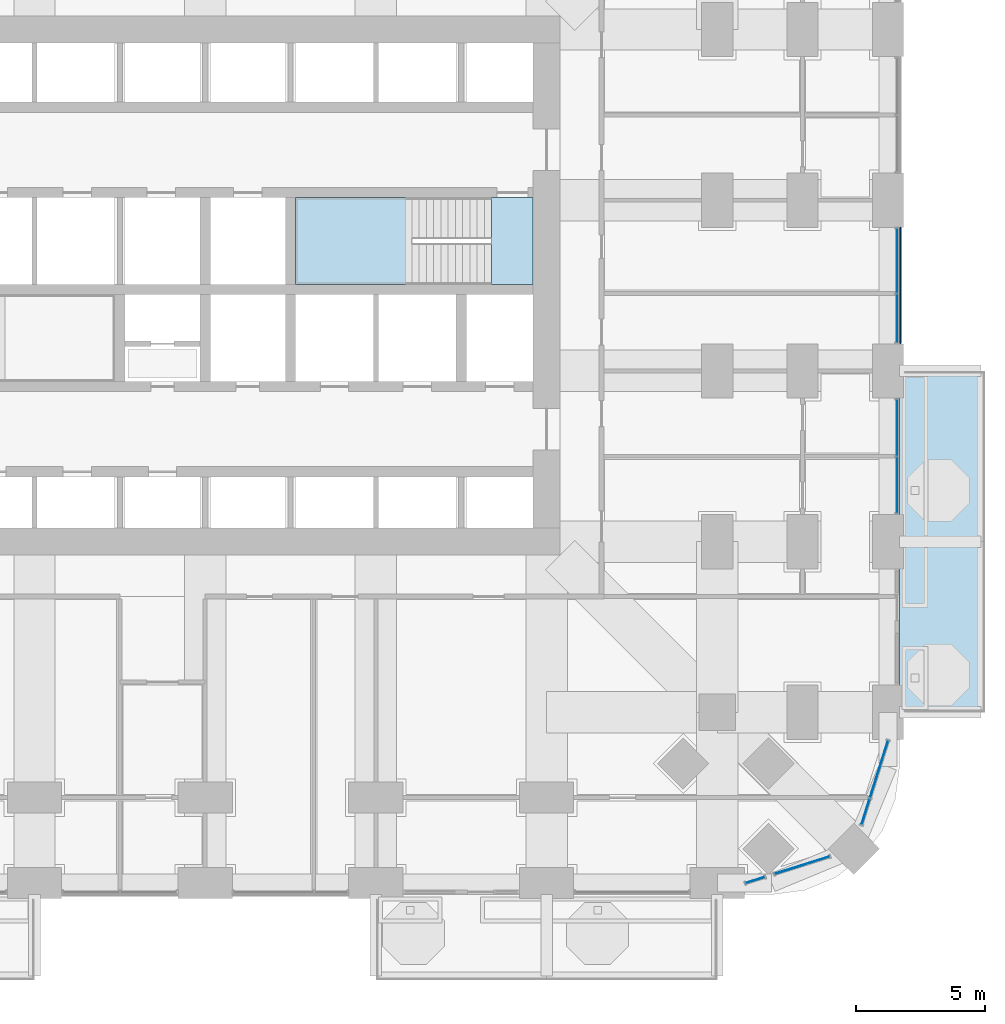
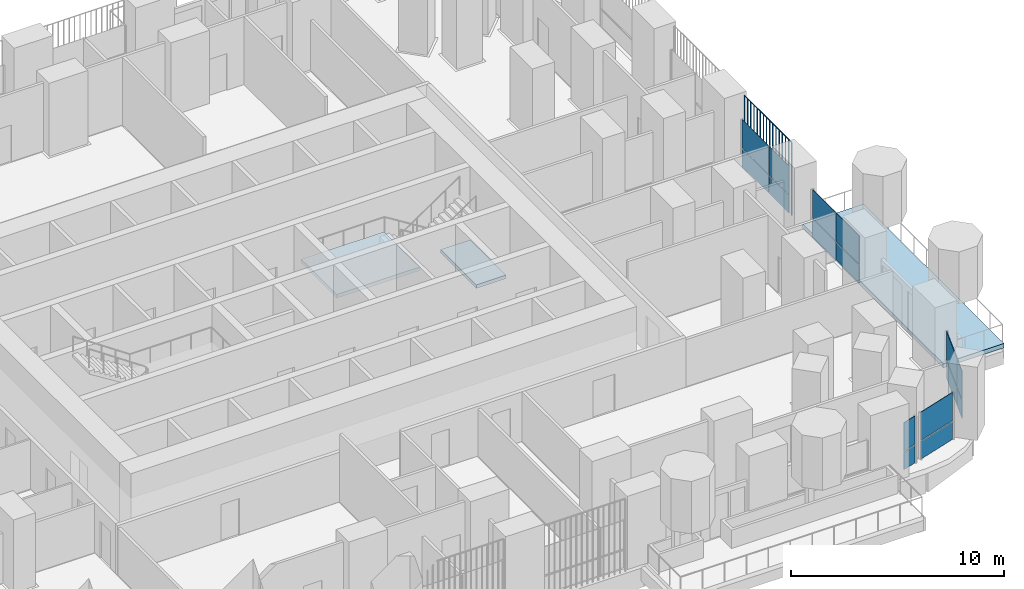
# One storey, part 14 of 27: 17 plates, 3 slabs, 6 elements without a shape of their own.
"""IFC4 building model written with IfcOpenShell, lengths in metres."""

from ifc_helpers import new_model, si_unit, direction, frame, origin, origin_2d, place, context, subcontext, project, spatial, polyline, rectangle, outline, extrude, material, layer, layer_set, type_object, element, aggregate, save


model = new_model("IFC4")

# Units and contexts
model_context = context("Model", 3, precision=1e-05, world=origin(), true_north=direction((0.0, 1.0)))
body_context = subcontext(model_context, "Body", "Model", "MODEL_VIEW")
ifc_project = project(units=[si_unit("LENGTHUNIT", "METRE"), si_unit("AREAUNIT", "SQUARE_METRE"), si_unit("VOLUMEUNIT", "CUBIC_METRE"), si_unit("PLANEANGLEUNIT", "RADIAN"), si_unit("MASSUNIT", "GRAM", prefix="KILO")], contexts=[model_context])

# Site, building, storey
site_placement = place(None, origin())
site = spatial("IfcSite", under=ifc_project, at=site_placement, CompositionType="ELEMENT")
building_placement = place(site_placement, origin())
building = spatial("IfcBuilding", under=site, at=building_placement, Name="Cobogo Forest Laboratory Tower", CompositionType="ELEMENT")
storey_placement = place(building_placement, frame((0.0, 0.0, 54.89990234375)))
storey = spatial("IfcBuildingStorey", under=building, at=storey_placement, Name="L12", CompositionType="ELEMENT", Elevation=54.89990234375)

# Slab
ifc_material_1 = material(Name="Concrete HA-40 (C40/50)", Category="concrete")
ifc_layer_1 = layer(ifc_material_1, 0.25)
ifc_layer_set_1 = layer_set([ifc_layer_1], Name="Balcony slab 250")
slab_type_1 = type_object("IfcSlabType", Name="Balcony slab 250", PredefinedType="FLOOR", material=ifc_layer_set_1)
slab_1_placement = place(storey_placement, frame((0.0, 0.0, -0.25)))
element("IfcSlab", 1, at=slab_1_placement, inside=storey, type_object=slab_type_1, Name="Balcony BAL-E1 L12", PredefinedType="FLOOR", context=body_context, shape_type="SweptSolid", body=[
    extrude(outline(polyline([(53.25, 6.60009765625), (56.550048828125, 6.60009765625), (56.550048828125, 19.800048828125), (53.25, 19.800048828125), (53.25, 6.60009765625)])), origin(), (0.0, 0.0, 1.0), 0.25),
])

# Curtain wall, plates
ifc_material_2 = material(Name="Aluminium curtain wall", Category="aluminium")
curtain_wall_type = type_object("IfcCurtainWallType", Name="CW-1 unitised curtain wall, clear glazing, laboratory floors zones A and B", PredefinedType="USERDEFINED", material=ifc_material_2)
curtain_wall_1_placement = place(storey_placement, origin())
curtain_wall_1 = element("IfcCurtainWall", 2, at=curtain_wall_1_placement, inside=storey, type_object=curtain_wall_type, Name="Curtain wall 07 L12", ObjectType="UNITISED CURTAIN WALL", PredefinedType="USERDEFINED")
ifc_material_3 = material(Name="Clear insulated glass", Category="glass")
ifc_layer_2 = layer(ifc_material_3, 0.028076171875)
ifc_layer_set_2 = layer_set([ifc_layer_2], Name="GP-1 clear insulated glass unit 28")
plate_type_1 = type_object("IfcPlateType", Name="GP-1 clear insulated glass unit 28", PredefinedType="CURTAIN_PANEL", material=ifc_layer_set_2)
plate_1_placement = place(storey_placement, frame((47.666015625, 0.113037109375, 0.0), z_axis=(0.0, 0.0, 1.0), x_axis=(0.953581504428, 0.301135043481, 0.0)))
plate_1 = element("IfcPlate", 3, at=plate_1_placement, type_object=plate_type_1, Name="CW-1 panel 1.1", PredefinedType="CURTAIN_PANEL", context=body_context, shape_type="SweptSolid", body=[
    extrude(rectangle(XDim=0.75244140625, YDim=0.028076171875, at=origin_2d()), origin(), (0.0, 0.0, 1.0), 1.02001953125),
])
plate_2_placement = place(storey_placement, frame((47.666015625, 0.113037109375, 1.080078125), z_axis=(0.0, 0.0, 1.0), x_axis=(0.953581504428, 0.301135043481, 0.0)))
plate_2 = element("IfcPlate", 4, at=plate_2_placement, type_object=plate_type_1, Name="CW-1 panel 1.2", PredefinedType="CURTAIN_PANEL", context=body_context, shape_type="SweptSolid", body=[
    extrude(rectangle(XDim=0.75244140625, YDim=0.028076171875, at=origin_2d()), origin(), (0.0, 0.0, 1.0), 1.6201171875),
])
aggregate(curtain_wall_1, [plate_1, plate_2])

curtain_wall_2_placement = place(storey_placement, origin())
curtain_wall_2 = element("IfcCurtainWall", 5, at=curtain_wall_2_placement, inside=storey, type_object=curtain_wall_type, Name="Curtain wall 08 L12", ObjectType="UNITISED CURTAIN WALL", PredefinedType="USERDEFINED")
plate_3_placement = place(storey_placement, frame((49.482177734375, 0.6865234375, 0.0), z_axis=(0.0, 0.0, 1.0), x_axis=(0.953581409645, 0.301135343623, 0.0)))
plate_3 = element("IfcPlate", 6, at=plate_3_placement, type_object=plate_type_1, Name="CW-1 panel 1.1", PredefinedType="CURTAIN_PANEL", context=body_context, shape_type="SweptSolid", body=[
    extrude(rectangle(XDim=2.203369140625, YDim=0.028076171875, at=origin_2d()), origin(), (0.0, 0.0, 1.0), 1.02001953125),
])
plate_4_placement = place(storey_placement, frame((49.482177734375, 0.6865234375, 1.080078125), z_axis=(0.0, 0.0, 1.0), x_axis=(0.953581409645, 0.301135343623, 0.0)))
plate_4 = element("IfcPlate", 7, at=plate_4_placement, type_object=plate_type_1, Name="CW-1 panel 1.2", PredefinedType="CURTAIN_PANEL", context=body_context, shape_type="SweptSolid", body=[
    extrude(rectangle(XDim=2.203369140625, YDim=0.028076171875, at=origin_2d()), origin(), (0.0, 0.0, 1.0), 1.6201171875),
])
aggregate(curtain_wall_2, [plate_3, plate_4])

curtain_wall_3_placement = place(storey_placement, origin())
curtain_wall_3 = element("IfcCurtainWall", 8, at=curtain_wall_3_placement, inside=storey, type_object=curtain_wall_type, Name="Curtain wall 09 L12", ObjectType="UNITISED CURTAIN WALL", PredefinedType="USERDEFINED")
plate_5_placement = place(storey_placement, frame((51.9365234375, 2.75732421875, 0.0), z_axis=(0.0, 0.0, 1.0), x_axis=(0.30113535792, 0.95358140513, 0.0)))
plate_5 = element("IfcPlate", 9, at=plate_5_placement, type_object=plate_type_1, Name="CW-1 panel 1.1", PredefinedType="CURTAIN_PANEL", context=body_context, shape_type="SweptSolid", body=[
    extrude(rectangle(XDim=1.027587890625, YDim=0.028076171875, at=origin_2d()), origin(), (0.0, 0.0, 1.0), 1.02001953125),
])
plate_6_placement = place(storey_placement, frame((51.9365234375, 2.75732421875, 1.080078125), z_axis=(0.0, 0.0, 1.0), x_axis=(0.30113535792, 0.95358140513, 0.0)))
plate_6 = element("IfcPlate", 10, at=plate_6_placement, type_object=plate_type_1, Name="CW-1 panel 1.2", PredefinedType="CURTAIN_PANEL", context=body_context, shape_type="SweptSolid", body=[
    extrude(rectangle(XDim=1.027587890625, YDim=0.028076171875, at=origin_2d()), origin(), (0.0, 0.0, 1.0), 1.6201171875),
])
plate_7_placement = place(storey_placement, frame((52.454833984375, 4.398681640625, 0.0), z_axis=(0.0, 0.0, 1.0), x_axis=(0.30113535792, 0.95358140513, 0.0)))
plate_7 = element("IfcPlate", 11, at=plate_7_placement, type_object=plate_type_1, Name="CW-1 panel 2.1", PredefinedType="CURTAIN_PANEL", context=body_context, shape_type="SweptSolid", body=[
    extrude(rectangle(XDim=2.294677734375, YDim=0.028076171875, at=origin_2d()), origin(), (0.0, 0.0, 1.0), 1.02001953125),
])
plate_8_placement = place(storey_placement, frame((52.454833984375, 4.398681640625, 1.080078125), z_axis=(0.0, 0.0, 1.0), x_axis=(0.30113535792, 0.95358140513, 0.0)))
plate_8 = element("IfcPlate", 12, at=plate_8_placement, type_object=plate_type_1, Name="CW-1 panel 2.2", PredefinedType="CURTAIN_PANEL", context=body_context, shape_type="SweptSolid", body=[
    extrude(rectangle(XDim=2.294677734375, YDim=0.028076171875, at=origin_2d()), origin(), (0.0, 0.0, 1.0), 1.6201171875),
])
aggregate(curtain_wall_3, [plate_5, plate_6, plate_7, plate_8])

curtain_wall_4_placement = place(storey_placement, origin())
curtain_wall_4 = element("IfcCurtainWall", 13, at=curtain_wall_4_placement, inside=storey, type_object=curtain_wall_type, Name="Curtain wall 11 L12", ObjectType="UNITISED CURTAIN WALL", PredefinedType="USERDEFINED")
plate_9_placement = place(storey_placement, frame((53.14990234375, 15.389892578125, 0.0), z_axis=(0.0, 0.0, 1.0), x_axis=(0.0, 1.0, 0.0)))
plate_9 = element("IfcPlate", 14, at=plate_9_placement, type_object=plate_type_1, Name="CW-1 panel 1.1", PredefinedType="CURTAIN_PANEL", context=body_context, shape_type="SweptSolid", body=[
    extrude(rectangle(XDim=2.159912109375, YDim=0.028076171875, at=origin_2d()), origin(), (0.0, 0.0, 1.0), 1.02001953125),
])
plate_10_placement = place(storey_placement, frame((53.14990234375, 15.389892578125, 1.080078125), z_axis=(0.0, 0.0, 1.0), x_axis=(0.0, 1.0, 0.0)))
plate_10 = element("IfcPlate", 15, at=plate_10_placement, type_object=plate_type_1, Name="CW-1 panel 1.2", PredefinedType="CURTAIN_PANEL", context=body_context, shape_type="SweptSolid", body=[
    extrude(rectangle(XDim=2.159912109375, YDim=0.028076171875, at=origin_2d()), origin(), (0.0, 0.0, 1.0), 1.6201171875),
])
plate_11_placement = place(storey_placement, frame((53.14990234375, 17.610107421875, 0.0), z_axis=(0.0, 0.0, 1.0), x_axis=(0.0, 1.0, 0.0)))
plate_11 = element("IfcPlate", 16, at=plate_11_placement, type_object=plate_type_1, Name="CW-1 panel 2.1", PredefinedType="CURTAIN_PANEL", context=body_context, shape_type="SweptSolid", body=[
    extrude(rectangle(XDim=2.159912109375, YDim=0.028076171875, at=origin_2d()), origin(), (0.0, 0.0, 1.0), 1.02001953125),
])
plate_12_placement = place(storey_placement, frame((53.14990234375, 17.610107421875, 1.080078125), z_axis=(0.0, 0.0, 1.0), x_axis=(0.0, 1.0, 0.0)))
plate_12 = element("IfcPlate", 17, at=plate_12_placement, type_object=plate_type_1, Name="CW-1 panel 2.2", PredefinedType="CURTAIN_PANEL", context=body_context, shape_type="SweptSolid", body=[
    extrude(rectangle(XDim=2.159912109375, YDim=0.028076171875, at=origin_2d()), origin(), (0.0, 0.0, 1.0), 1.6201171875),
])
aggregate(curtain_wall_4, [plate_9, plate_10, plate_11, plate_12])

curtain_wall_5_placement = place(storey_placement, origin())
curtain_wall_5 = element("IfcCurtainWall", 18, at=curtain_wall_5_placement, inside=storey, type_object=curtain_wall_type, Name="Curtain wall 12 L12", ObjectType="UNITISED CURTAIN WALL", PredefinedType="USERDEFINED")
plate_13_placement = place(storey_placement, frame((53.14990234375, 21.840087890625, 0.0), z_axis=(0.0, 0.0, 1.0), x_axis=(0.0, 1.0, 0.0)))
plate_13 = element("IfcPlate", 19, at=plate_13_placement, type_object=plate_type_1, Name="CW-1 panel 1.1", PredefinedType="CURTAIN_PANEL", context=body_context, shape_type="SweptSolid", body=[
    extrude(rectangle(XDim=1.860107421875, YDim=0.028076171875, at=origin_2d()), origin(), (0.0, 0.0, 1.0), 1.02001953125),
])
plate_14_placement = place(storey_placement, frame((53.14990234375, 21.840087890625, 1.080078125), z_axis=(0.0, 0.0, 1.0), x_axis=(0.0, 1.0, 0.0)))
plate_14 = element("IfcPlate", 20, at=plate_14_placement, type_object=plate_type_1, Name="CW-1 panel 1.2", PredefinedType="CURTAIN_PANEL", context=body_context, shape_type="SweptSolid", body=[
    extrude(rectangle(XDim=1.860107421875, YDim=0.028076171875, at=origin_2d()), origin(), (0.0, 0.0, 1.0), 1.6201171875),
])
plate_15_placement = place(storey_placement, frame((53.14990234375, 24.06005859375, 0.0), z_axis=(0.0, 0.0, 1.0), x_axis=(0.0, 1.0, 0.0)))
plate_15 = element("IfcPlate", 21, at=plate_15_placement, type_object=plate_type_1, Name="CW-1 panel 2.1", PredefinedType="CURTAIN_PANEL", context=body_context, shape_type="SweptSolid", body=[
    extrude(rectangle(XDim=2.4599609375, YDim=0.028076171875, at=origin_2d()), origin(), (0.0, 0.0, 1.0), 1.02001953125),
])
plate_16_placement = place(storey_placement, frame((53.14990234375, 24.06005859375, 1.080078125), z_axis=(0.0, 0.0, 1.0), x_axis=(0.0, 1.0, 0.0)))
plate_16 = element("IfcPlate", 22, at=plate_16_placement, type_object=plate_type_1, Name="CW-1 panel 2.2", PredefinedType="CURTAIN_PANEL", context=body_context, shape_type="SweptSolid", body=[
    extrude(rectangle(XDim=2.4599609375, YDim=0.028076171875, at=origin_2d()), origin(), (0.0, 0.0, 1.0), 1.6201171875),
])
aggregate(curtain_wall_5, [plate_13, plate_14, plate_15, plate_16])

# Stair, slabs
ifc_material_4 = material(Name="Precast concrete HA-40 (C40/50)", Category="concrete")
stair_type = type_object("IfcStairType", Name="ST24 exit stair 24 risers", PredefinedType="HALF_TURN_STAIR", material=ifc_material_4)
stair_placement = place(storey_placement, origin())
stair = element("IfcStair", 23, at=stair_placement, inside=storey, type_object=stair_type, Name="Stair 2 L12 to L13", PredefinedType="HALF_TURN_STAIR")
ifc_layer_3 = layer(ifc_material_1, 0.199951171875)
ifc_layer_set_3 = layer_set([ifc_layer_3], Name="SL stair landing 200")
slab_type_2 = type_object("IfcSlabType", Name="SL stair landing 200", PredefinedType="LANDING", material=ifc_layer_set_3)
slab_2_placement = place(storey_placement, frame((0.0, 0.0, -0.199951171875)))
slab_2 = element("IfcSlab", 24, at=slab_2_placement, type_object=slab_type_2, Name="ST2 landing 1", PredefinedType="LANDING", context=body_context, shape_type="SweptSolid", body=[
    extrude(outline(polyline([(37.472900390625, 23.14990234375), (39.074951171875, 23.14990234375), (39.074951171875, 26.5), (37.472900390625, 26.5), (37.472900390625, 23.14990234375)])), origin(), (0.0, 0.0, 1.0), 0.199951171875),
])
slab_3_placement = place(storey_placement, frame((0.0, 0.0, 1.900146484375)))
slab_3 = element("IfcSlab", 25, at=slab_3_placement, type_object=slab_type_2, Name="ST2 landing 2", PredefinedType="LANDING", context=body_context, shape_type="SweptSolid", body=[
    extrude(outline(polyline([(29.89990234375, 23.14990234375), (34.39697265625, 23.14990234375), (34.39697265625, 26.5), (29.89990234375, 26.5), (29.89990234375, 23.14990234375)])), origin(), (0.0, 0.0, 1.0), 0.199951171875),
])
aggregate(stair, [slab_2, slab_3])

# Plate
ifc_material_5 = material(Name="Terracotta", Category="masonry")
plate_type_2 = type_object("IfcPlateType", Name="TB1 terracotta baguette screen", PredefinedType="USERDEFINED", material=ifc_material_5)
plate_17_placement = place(storey_placement, frame((53.27783203125, 20.88134765625, -0.14990234375)))
element("IfcPlate", 26, at=plate_17_placement, inside=storey, type_object=plate_type_2, Name="Baguette screen E3 L12", ObjectType="BAGUETTE SCREEN", PredefinedType="USERDEFINED", context=body_context, shape_type="SweptSolid", body=[
    extrude(outline(polyline([(0.02880859375, 0.011962890625), (0.011962890625, 0.02880859375), (-0.011962890625, 0.02880859375), (-0.02880859375, 0.011962890625), (-0.02880859375, -0.011962890625), (-0.011962890625, -0.02880859375), (0.011962890625, -0.02880859375), (0.02880859375, -0.011962890625), (0.02880859375, 0.011962890625)])), frame((0.0, 0.0, 4.168701171875), z_axis=(0.0, 1.0, 0.0), x_axis=(-1.0, 0.0, 0.0)), (0.0, 0.0, 1.0), 4.4375),
    extrude(outline(polyline([(0.02880859375, 0.011962890625), (0.011962890625, 0.02880859375), (-0.011962890625, 0.02880859375), (-0.02880859375, 0.011962890625), (-0.02880859375, -0.011962890625), (-0.011962890625, -0.02880859375), (0.011962890625, -0.02880859375), (0.02880859375, -0.011962890625), (0.02880859375, 0.011962890625)])), origin(), (0.0, 0.0, 1.0), 4.137451171875),
    extrude(outline(polyline([(0.02880859375, 0.011962890625), (0.011962890625, 0.02880859375), (-0.011962890625, 0.02880859375), (-0.02880859375, 0.011962890625), (-0.02880859375, -0.011962890625), (-0.011962890625, -0.02880859375), (0.011962890625, -0.02880859375), (0.02880859375, -0.011962890625), (0.02880859375, 0.011962890625)])), frame((0.0, 0.2958984375, 0.0)), (0.0, 0.0, 1.0), 4.137451171875),
    extrude(outline(polyline([(0.02880859375, 0.011962890625), (0.011962890625, 0.02880859375), (-0.011962890625, 0.02880859375), (-0.02880859375, 0.011962890625), (-0.02880859375, -0.011962890625), (-0.011962890625, -0.02880859375), (0.011962890625, -0.02880859375), (0.02880859375, -0.011962890625), (0.02880859375, 0.011962890625)])), frame((0.0, 0.591552734375, 0.0)), (0.0, 0.0, 1.0), 4.137451171875),
    extrude(outline(polyline([(0.02880859375, 0.011962890625), (0.011962890625, 0.02880859375), (-0.011962890625, 0.02880859375), (-0.02880859375, 0.011962890625), (-0.02880859375, -0.011962890625), (-0.011962890625, -0.02880859375), (0.011962890625, -0.02880859375), (0.02880859375, -0.011962890625), (0.02880859375, 0.011962890625)])), frame((0.0, 0.887451171875, 0.0)), (0.0, 0.0, 1.0), 4.137451171875),
    extrude(outline(polyline([(0.02880859375, 0.011962890625), (0.011962890625, 0.02880859375), (-0.011962890625, 0.02880859375), (-0.02880859375, 0.011962890625), (-0.02880859375, -0.011962890625), (-0.011962890625, -0.02880859375), (0.011962890625, -0.02880859375), (0.02880859375, -0.011962890625), (0.02880859375, 0.011962890625)])), frame((0.0, 1.183349609375, 0.0)), (0.0, 0.0, 1.0), 4.137451171875),
    extrude(outline(polyline([(0.02880859375, 0.011962890625), (0.011962890625, 0.02880859375), (-0.011962890625, 0.02880859375), (-0.02880859375, 0.011962890625), (-0.02880859375, -0.011962890625), (-0.011962890625, -0.02880859375), (0.011962890625, -0.02880859375), (0.02880859375, -0.011962890625), (0.02880859375, 0.011962890625)])), frame((0.0, 1.479248046875, 0.0)), (0.0, 0.0, 1.0), 4.137451171875),
    extrude(outline(polyline([(0.02880859375, 0.011962890625), (0.011962890625, 0.02880859375), (-0.011962890625, 0.02880859375), (-0.02880859375, 0.011962890625), (-0.02880859375, -0.011962890625), (-0.011962890625, -0.02880859375), (0.011962890625, -0.02880859375), (0.02880859375, -0.011962890625), (0.02880859375, 0.011962890625)])), frame((0.0, 1.77490234375, 0.0)), (0.0, 0.0, 1.0), 4.137451171875),
    extrude(outline(polyline([(0.02880859375, 0.011962890625), (0.011962890625, 0.02880859375), (-0.011962890625, 0.02880859375), (-0.02880859375, 0.011962890625), (-0.02880859375, -0.011962890625), (-0.011962890625, -0.02880859375), (0.011962890625, -0.02880859375), (0.02880859375, -0.011962890625), (0.02880859375, 0.011962890625)])), frame((0.0, 2.07080078125, 0.0)), (0.0, 0.0, 1.0), 4.137451171875),
    extrude(outline(polyline([(0.02880859375, 0.011962890625), (0.011962890625, 0.02880859375), (-0.011962890625, 0.02880859375), (-0.02880859375, 0.011962890625), (-0.02880859375, -0.011962890625), (-0.011962890625, -0.02880859375), (0.011962890625, -0.02880859375), (0.02880859375, -0.011962890625), (0.02880859375, 0.011962890625)])), frame((0.0, 2.36669921875, 0.0)), (0.0, 0.0, 1.0), 4.137451171875),
    extrude(outline(polyline([(0.02880859375, 0.011962890625), (0.011962890625, 0.02880859375), (-0.011962890625, 0.02880859375), (-0.02880859375, 0.011962890625), (-0.02880859375, -0.011962890625), (-0.011962890625, -0.02880859375), (0.011962890625, -0.02880859375), (0.02880859375, -0.011962890625), (0.02880859375, 0.011962890625)])), frame((0.0, 2.66259765625, 0.0)), (0.0, 0.0, 1.0), 4.137451171875),
    extrude(outline(polyline([(0.02880859375, 0.011962890625), (0.011962890625, 0.02880859375), (-0.011962890625, 0.02880859375), (-0.02880859375, 0.011962890625), (-0.02880859375, -0.011962890625), (-0.011962890625, -0.02880859375), (0.011962890625, -0.02880859375), (0.02880859375, -0.011962890625), (0.02880859375, 0.011962890625)])), frame((0.0, 2.958251953125, 0.0)), (0.0, 0.0, 1.0), 4.137451171875),
    extrude(outline(polyline([(0.02880859375, 0.011962890625), (0.011962890625, 0.02880859375), (-0.011962890625, 0.02880859375), (-0.02880859375, 0.011962890625), (-0.02880859375, -0.011962890625), (-0.011962890625, -0.02880859375), (0.011962890625, -0.02880859375), (0.02880859375, -0.011962890625), (0.02880859375, 0.011962890625)])), frame((0.0, 3.254150390625, 0.0)), (0.0, 0.0, 1.0), 4.137451171875),
    extrude(outline(polyline([(0.02880859375, 0.011962890625), (0.011962890625, 0.02880859375), (-0.011962890625, 0.02880859375), (-0.02880859375, 0.011962890625), (-0.02880859375, -0.011962890625), (-0.011962890625, -0.02880859375), (0.011962890625, -0.02880859375), (0.02880859375, -0.011962890625), (0.02880859375, 0.011962890625)])), frame((0.0, 3.550048828125, 0.0)), (0.0, 0.0, 1.0), 4.137451171875),
    extrude(outline(polyline([(0.02880859375, 0.011962890625), (0.011962890625, 0.02880859375), (-0.011962890625, 0.02880859375), (-0.02880859375, 0.011962890625), (-0.02880859375, -0.011962890625), (-0.011962890625, -0.02880859375), (0.011962890625, -0.02880859375), (0.02880859375, -0.011962890625), (0.02880859375, 0.011962890625)])), frame((0.0, 3.845947265625, 0.0)), (0.0, 0.0, 1.0), 4.137451171875),
    extrude(outline(polyline([(0.02880859375, 0.011962890625), (0.011962890625, 0.02880859375), (-0.011962890625, 0.02880859375), (-0.02880859375, 0.011962890625), (-0.02880859375, -0.011962890625), (-0.011962890625, -0.02880859375), (0.011962890625, -0.02880859375), (0.02880859375, -0.011962890625), (0.02880859375, 0.011962890625)])), frame((0.0, 4.1416015625, 0.0)), (0.0, 0.0, 1.0), 4.137451171875),
    extrude(outline(polyline([(0.02880859375, 0.011962890625), (0.011962890625, 0.02880859375), (-0.011962890625, 0.02880859375), (-0.02880859375, 0.011962890625), (-0.02880859375, -0.011962890625), (-0.011962890625, -0.02880859375), (0.011962890625, -0.02880859375), (0.02880859375, -0.011962890625), (0.02880859375, 0.011962890625)])), frame((0.0, 4.4375, 0.0)), (0.0, 0.0, 1.0), 4.137451171875),
])

save(model, "model.ifc")
